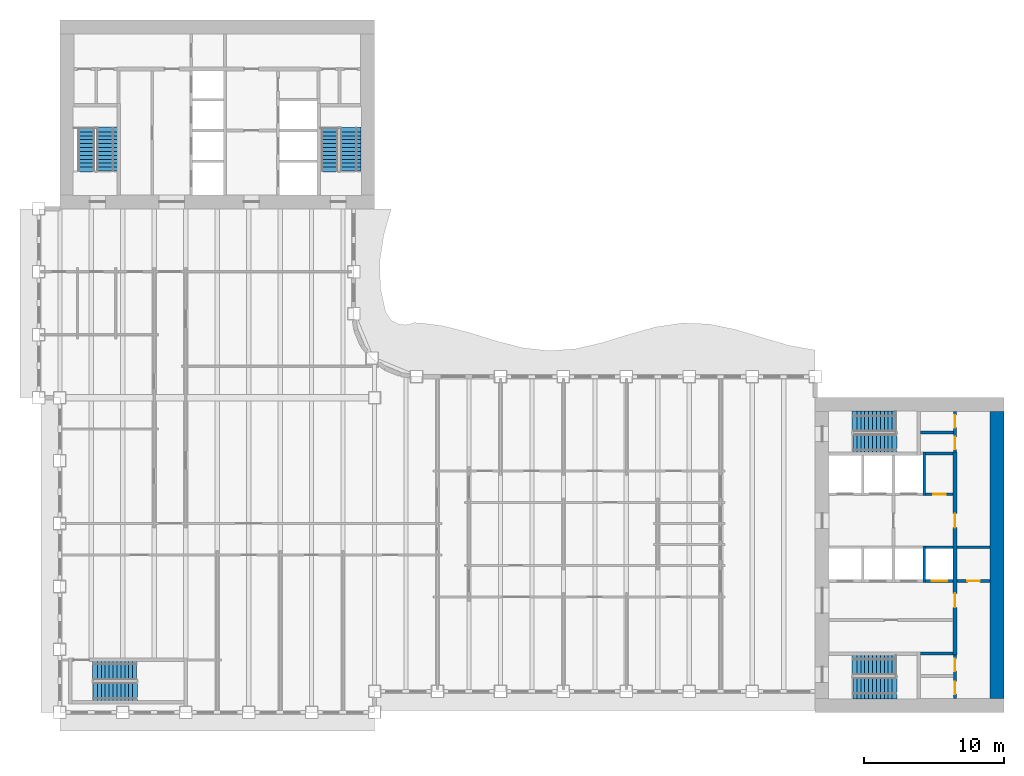
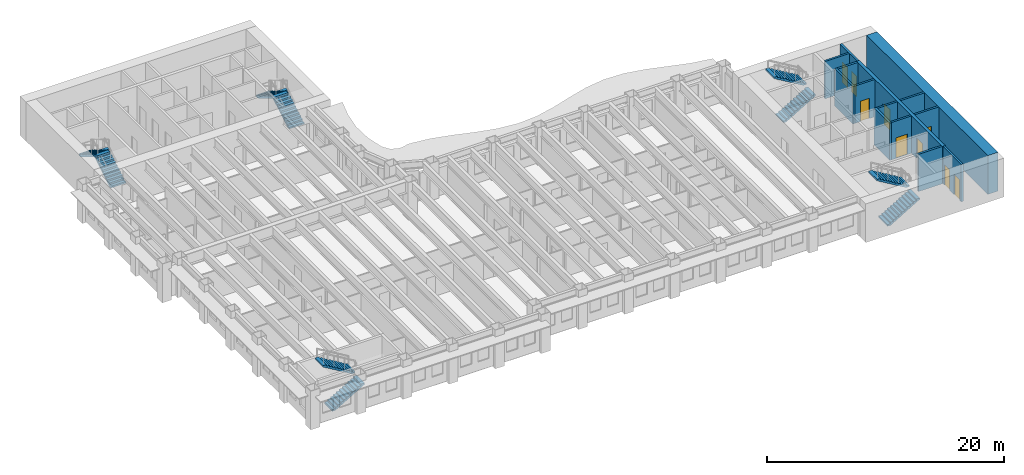
# One storey, part 10 of 16: 14 walls, 10 stair flights, 9 doors, 9 openings, 5 elements without a shape of their own.
"""IFC4 building model written with IfcOpenShell, lengths in metres."""

from ifc_helpers import new_model, si_unit, direction, frame, frame_2d, origin, place, context, subcontext, project, spatial, polyline, rectangle, outline, extrude, material, layer, layer_set, type_object, element, fill, aggregate, save


model = new_model("IFC4")

# Units and contexts
model_context = context("Model", 3, precision=1e-05, world=origin(), true_north=direction((0.0, 1.0)))
body_context = subcontext(model_context, "Body", "Model", "MODEL_VIEW")
ifc_project = project(units=[si_unit("LENGTHUNIT", "METRE"), si_unit("AREAUNIT", "SQUARE_METRE"), si_unit("VOLUMEUNIT", "CUBIC_METRE"), si_unit("PLANEANGLEUNIT", "RADIAN"), si_unit("MASSUNIT", "GRAM", prefix="KILO")], contexts=[model_context])

# Site, building, storey
site_placement = place(None, origin())
site = spatial("IfcSite", under=ifc_project, at=site_placement, CompositionType="ELEMENT")
building_placement = place(site_placement, origin())
building = spatial("IfcBuilding", under=site, at=building_placement, Name="Sennacour Bend Tower", CompositionType="ELEMENT")
storey_placement = place(building_placement, frame((0.0, 0.0, 171.0)))
storey = spatial("IfcBuildingStorey", under=building, at=storey_placement, Name="L39", CompositionType="ELEMENT", Elevation=171.0)

# Wall
ifc_material_1 = material(Name="Concrete C60/75", Category="concrete")
ifc_layer_1 = layer(ifc_material_1, 1.0, Name="Concrete C60/75", Category="concrete")
ifc_layer_set_1 = layer_set([ifc_layer_1], Name="Concrete C60/75")
wall_type_1 = type_object("IfcWallType", Name="Core wall 1000 C60/75", PredefinedType="SHEAR", material=ifc_layer_set_1)
wall_1_placement = place(storey_placement, frame((67.0, 1.0, -0.14990234375), z_axis=(0.0, 0.0, 1.0), x_axis=(0.0, 1.0, 0.0)))
element("IfcWall", 1, at=wall_1_placement, inside=storey, type_object=wall_type_1, Name="Core A wall L39 E", PredefinedType="SHEAR", context=body_context, shape_type="SweptSolid", body=[
    extrude(rectangle(XDim=20.5, YDim=1.0, at=frame_2d((10.25, 0.0))), origin(), (0.0, 0.0, 1.0), 4.0),
])

# Wall, openings, doors
ifc_material_2 = material(Name="Fire-rated plasterboard partition on steel studs", Category="steel")
ifc_layer_2 = layer(ifc_material_2, 0.199951171875, Name="Fire-rated plasterboard partition on steel studs", Category="steel")
ifc_layer_set_2 = layer_set([ifc_layer_2], Name="Fire-rated plasterboard partition on steel studs")
wall_type_2 = type_object("IfcWallType", Name="Rated partition 200", PredefinedType="PARTITIONING", material=ifc_layer_set_2)
wall_2_placement = place(storey_placement, frame((64.0, 1.0, 0.0), z_axis=(0.0, 0.0, 1.0), x_axis=(0.0, 1.0, 0.0)))
wall_2 = element("IfcWall", 2, at=wall_2_placement, inside=storey, type_object=wall_type_2, Name="P-L39-W047", PredefinedType="PARTITIONING", context=body_context, shape_type="SweptSolid", body=[
    extrude(rectangle(XDim=3.10009765625, YDim=0.199951171875, at=frame_2d((1.550048828125, 0.0))), origin(), (0.0, 0.0, 1.0), 3.85009765625),
])
opening_1_placement = place(wall_2_placement, frame((0.300048828125, 0.0, 0.0)))
opening_1 = element("IfcOpeningElement", 3, at=opening_1_placement, cuts=wall_2, Name="Opening SV", PredefinedType="OPENING", context=body_context, shape_type="SweptSolid", body=[
    extrude(rectangle(XDim=0.89990234375, YDim=2.10009765625, at=frame_2d((0.449951171875, 1.050048828125))), frame((0.0, 0.10986328125, 0.0), z_axis=(0.0, -1.0, 0.0), x_axis=(1.0, 0.0, 0.0)), (0.0, 0.0, 1.0), 0.219970703125),
])
opening_2_placement = place(wall_2_placement, frame((1.949951171875, 0.0, 0.0)))
opening_2 = element("IfcOpeningElement", 4, at=opening_2_placement, cuts=wall_2, Name="Opening WD", PredefinedType="OPENING", context=body_context, shape_type="SweptSolid", body=[
    extrude(rectangle(XDim=0.89990234375, YDim=2.10009765625, at=frame_2d((0.449951171875, 1.050048828125))), frame((0.0, 0.10986328125, 0.0), z_axis=(0.0, -1.0, 0.0), x_axis=(1.0, 0.0, 0.0)), (0.0, 0.0, 1.0), 0.219970703125),
])
ifc_material_3 = material(Name="Painted steel", Category="steel")
door_type_1 = type_object("IfcDoorType", Name="DR-SERVICE-900", OperationType="NOTDEFINED", PredefinedType="DOOR", material=ifc_material_3)
door_1_placement = place(opening_1_placement, origin())
door_1 = element("IfcDoor", 5, at=door_1_placement, inside=storey, type_object=door_type_1, Name="Door", OperationType="SINGLE_SWING_LEFT", OverallHeight=2.10009765625, OverallWidth=0.89990234375, PredefinedType="DOOR", context=body_context, shape_type="SweptSolid", body=[
    extrude(rectangle(XDim=0.89990234375, YDim=2.10009765625, at=frame_2d((0.449951171875, 1.050048828125))), frame((0.0, 0.02490234375, 0.0), z_axis=(0.0, -1.0, 0.0), x_axis=(1.0, 0.0, 0.0)), (0.0, 0.0, 1.0), 0.050048828125),
])
fill(opening_1, door_1)
ifc_material_4 = material(Name="Timber", Category="wood")
door_type_2 = type_object("IfcDoorType", Name="DR-WC-900", OperationType="NOTDEFINED", PredefinedType="DOOR", material=ifc_material_4)
door_2_placement = place(opening_2_placement, origin())
door_2 = element("IfcDoor", 6, at=door_2_placement, inside=storey, type_object=door_type_2, Name="Door", OperationType="SINGLE_SWING_RIGHT", OverallHeight=2.10009765625, OverallWidth=0.89990234375, PredefinedType="DOOR", context=body_context, shape_type="SweptSolid", body=[
    extrude(rectangle(XDim=0.89990234375, YDim=2.10009765625, at=frame_2d((0.449951171875, 1.050048828125))), frame((0.0, 0.02490234375, 0.0), z_axis=(0.0, -1.0, 0.0), x_axis=(1.0, 0.0, 0.0)), (0.0, 0.0, 1.0), 0.050048828125),
])
fill(opening_2, door_2)

wall_3_placement = place(storey_placement, frame((64.0, 18.60009765625, 0.0), z_axis=(0.0, 0.0, 1.0), x_axis=(0.0, 1.0, 0.0)))
wall_3 = element("IfcWall", 7, at=wall_3_placement, inside=storey, type_object=wall_type_2, Name="P-L39-W049", PredefinedType="PARTITIONING", context=body_context, shape_type="SweptSolid", body=[
    extrude(rectangle(XDim=2.89990234375, YDim=0.199951171875, at=frame_2d((1.449951171875, 0.0))), origin(), (0.0, 0.0, 1.0), 3.85009765625),
])
opening_3_placement = place(wall_3_placement, frame((0.199951171875, 0.0, 0.0)))
opening_3 = element("IfcOpeningElement", 8, at=opening_3_placement, cuts=wall_3, Name="Opening SV", PredefinedType="OPENING", context=body_context, shape_type="SweptSolid", body=[
    extrude(rectangle(XDim=0.89990234375, YDim=2.10009765625, at=frame_2d((0.449951171875, 1.050048828125))), frame((0.0, 0.10986328125, 0.0), z_axis=(0.0, -1.0, 0.0), x_axis=(1.0, 0.0, 0.0)), (0.0, 0.0, 1.0), 0.219970703125),
])
opening_4_placement = place(wall_3_placement, frame((1.75, 0.0, 0.0)))
opening_4 = element("IfcOpeningElement", 9, at=opening_4_placement, cuts=wall_3, Name="Opening SV", PredefinedType="OPENING", context=body_context, shape_type="SweptSolid", body=[
    extrude(rectangle(XDim=0.89990234375, YDim=2.10009765625, at=frame_2d((0.449951171875, 1.050048828125))), frame((0.0, 0.10986328125, 0.0), z_axis=(0.0, -1.0, 0.0), x_axis=(1.0, 0.0, 0.0)), (0.0, 0.0, 1.0), 0.219970703125),
])
door_3_placement = place(opening_3_placement, origin())
door_3 = element("IfcDoor", 10, at=door_3_placement, inside=storey, type_object=door_type_1, Name="Door", OperationType="SINGLE_SWING_LEFT", OverallHeight=2.10009765625, OverallWidth=0.89990234375, PredefinedType="DOOR", context=body_context, shape_type="SweptSolid", body=[
    extrude(rectangle(XDim=0.89990234375, YDim=2.10009765625, at=frame_2d((0.449951171875, 1.050048828125))), frame((0.0, 0.02490234375, 0.0), z_axis=(0.0, -1.0, 0.0), x_axis=(1.0, 0.0, 0.0)), (0.0, 0.0, 1.0), 0.050048828125),
])
fill(opening_3, door_3)
door_4_placement = place(opening_4_placement, origin())
door_4 = element("IfcDoor", 11, at=door_4_placement, inside=storey, type_object=door_type_1, Name="Door", OperationType="SINGLE_SWING_RIGHT", OverallHeight=2.10009765625, OverallWidth=0.89990234375, PredefinedType="DOOR", context=body_context, shape_type="SweptSolid", body=[
    extrude(rectangle(XDim=0.89990234375, YDim=2.10009765625, at=frame_2d((0.449951171875, 1.050048828125))), frame((0.0, 0.02490234375, 0.0), z_axis=(0.0, -1.0, 0.0), x_axis=(1.0, 0.0, 0.0)), (0.0, 0.0, 1.0), 0.050048828125),
])
fill(opening_4, door_4)

# Wall
wall_4_placement = place(storey_placement, frame((61.52490234375, 4.199951171875, 0.0), z_axis=(0.0, 0.0, 1.0), x_axis=(1.0, 0.0, 0.0)))
element("IfcWall", 12, at=wall_4_placement, inside=storey, type_object=wall_type_2, Name="P-L39-W058", PredefinedType="PARTITIONING", context=body_context, shape_type="SweptSolid", body=[
    extrude(rectangle(XDim=2.3251953125, YDim=0.199951171875, at=frame_2d((1.16259765625, 0.0))), origin(), (0.0, 0.0, 1.0), 3.85009765625),
])

# Wall, opening, door
wall_5_placement = place(storey_placement, frame((64.14990234375, 9.39990234375, 0.0), z_axis=(0.0, 0.0, 1.0), x_axis=(1.0, 0.0, 0.0)))
wall_5 = element("IfcWall", 13, at=wall_5_placement, inside=storey, type_object=wall_type_2, Name="P-L39-W062", PredefinedType="PARTITIONING", context=body_context, shape_type="SweptSolid", body=[
    extrude(rectangle(XDim=2.35009765625, YDim=0.199951171875, at=frame_2d((1.175048828125, 0.0))), origin(), (0.0, 0.0, 1.0), 3.85009765625),
])
opening_5_placement = place(wall_5_placement, frame((0.72509765625, 0.0, 0.0)))
opening_5 = element("IfcOpeningElement", 14, at=opening_5_placement, cuts=wall_5, Name="Opening SV", PredefinedType="OPENING", context=body_context, shape_type="SweptSolid", body=[
    extrude(rectangle(XDim=0.89990234375, YDim=2.10009765625, at=frame_2d((0.449951171875, 1.050048828125))), frame((0.0, 0.10986328125, 0.0), z_axis=(0.0, -1.0, 0.0), x_axis=(1.0, 0.0, 0.0)), (0.0, 0.0, 1.0), 0.219970703125),
])
door_5_placement = place(opening_5_placement, origin())
door_5 = element("IfcDoor", 15, at=door_5_placement, inside=storey, type_object=door_type_1, Name="Door", OperationType="SINGLE_SWING_LEFT", OverallHeight=2.10009765625, OverallWidth=0.89990234375, PredefinedType="DOOR", context=body_context, shape_type="SweptSolid", body=[
    extrude(rectangle(XDim=0.89990234375, YDim=2.10009765625, at=frame_2d((0.449951171875, 1.050048828125))), frame((0.0, 0.02490234375, 0.0), z_axis=(0.0, -1.0, 0.0), x_axis=(1.0, 0.0, 0.0)), (0.0, 0.0, 1.0), 0.050048828125),
])
fill(opening_5, door_5)

# Wall
wall_6_placement = place(storey_placement, frame((64.14990234375, 11.800048828125, 0.0), z_axis=(0.0, 0.0, 1.0), x_axis=(1.0, 0.0, 0.0)))
element("IfcWall", 16, at=wall_6_placement, inside=storey, type_object=wall_type_2, Name="P-L39-W066", PredefinedType="PARTITIONING", context=body_context, shape_type="SweptSolid", body=[
    extrude(rectangle(XDim=2.35009765625, YDim=0.199951171875, at=frame_2d((1.175048828125, 0.0))), origin(), (0.0, 0.0, 1.0), 3.85009765625),
])

# Wall, opening, door
wall_7_placement = place(storey_placement, frame((61.89990234375, 15.60009765625, 0.0), z_axis=(0.0, 0.0, 1.0), x_axis=(1.0, 0.0, 0.0)))
wall_7 = element("IfcWall", 17, at=wall_7_placement, inside=storey, type_object=wall_type_2, Name="P-L39-W072", PredefinedType="PARTITIONING", context=body_context, shape_type="SweptSolid", body=[
    extrude(rectangle(XDim=1.9501953125, YDim=0.199951171875, at=frame_2d((0.97509765625, 0.0))), origin(), (0.0, 0.0, 1.0), 3.85009765625),
])
opening_6_placement = place(wall_7_placement, frame((0.525146484375, 0.0, 0.0)))
opening_6 = element("IfcOpeningElement", 18, at=opening_6_placement, cuts=wall_7, Name="Opening SV", PredefinedType="OPENING", context=body_context, shape_type="SweptSolid", body=[
    extrude(rectangle(XDim=0.89990234375, YDim=2.10009765625, at=frame_2d((0.449951171875, 1.050048828125))), frame((0.0, 0.10986328125, 0.0), z_axis=(0.0, -1.0, 0.0), x_axis=(1.0, 0.0, 0.0)), (0.0, 0.0, 1.0), 0.219970703125),
])
door_6_placement = place(opening_6_placement, origin())
door_6 = element("IfcDoor", 19, at=door_6_placement, inside=storey, type_object=door_type_1, Name="Door", OperationType="SINGLE_SWING_LEFT", OverallHeight=2.10009765625, OverallWidth=0.89990234375, PredefinedType="DOOR", context=body_context, shape_type="SweptSolid", body=[
    extrude(rectangle(XDim=0.89990234375, YDim=2.10009765625, at=frame_2d((0.449951171875, 1.050048828125))), frame((0.0, 0.02490234375, 0.0), z_axis=(0.0, -1.0, 0.0), x_axis=(1.0, 0.0, 0.0)), (0.0, 0.0, 1.0), 0.050048828125),
])
fill(opening_6, door_6)

# Walls
wall_8_placement = place(storey_placement, frame((61.89990234375, 18.5, 0.0), z_axis=(0.0, 0.0, 1.0), x_axis=(1.0, 0.0, 0.0)))
element("IfcWall", 20, at=wall_8_placement, inside=storey, type_object=wall_type_2, Name="P-L39-W076", PredefinedType="PARTITIONING", context=body_context, shape_type="SweptSolid", body=[
    extrude(rectangle(XDim=1.9501953125, YDim=0.199951171875, at=frame_2d((0.97509765625, 0.0))), origin(), (0.0, 0.0, 1.0), 3.85009765625),
])
wall_9_placement = place(storey_placement, frame((61.52490234375, 20.0, 0.0), z_axis=(0.0, 0.0, 1.0), x_axis=(1.0, 0.0, 0.0)))
element("IfcWall", 21, at=wall_9_placement, inside=storey, type_object=wall_type_2, Name="P-L39-W077", PredefinedType="PARTITIONING", context=body_context, shape_type="SweptSolid", body=[
    extrude(rectangle(XDim=2.375, YDim=0.199951171875, at=frame_2d((1.1875, 0.0))), origin(), (0.0, 0.0, 1.0), 3.85009765625),
])
ifc_material_5 = material(Name="Concrete C50/60", Category="concrete")
ifc_layer_3 = layer(ifc_material_5, 0.199951171875, Name="Concrete C50/60", Category="concrete")
ifc_layer_set_3 = layer_set([ifc_layer_3], Name="Concrete C50/60")
wall_type_3 = type_object("IfcWallType", Name="Shaft wall 200", PredefinedType="SOLIDWALL", material=ifc_layer_set_3)
wall_10_placement = place(storey_placement, frame((61.800048828125, 9.300048828125, 0.0), z_axis=(0.0, 0.0, 1.0), x_axis=(0.0, 1.0, 0.0)))
element("IfcWall", 22, at=wall_10_placement, inside=storey, type_object=wall_type_3, Name="P-L39-W045", PredefinedType="SOLIDWALL", context=body_context, shape_type="SweptSolid", body=[
    extrude(rectangle(XDim=2.599853515625, YDim=0.199951171875, at=frame_2d((1.2998046875, 0.0))), origin(), (0.0, 0.0, 1.0), 3.85009765625),
])
wall_11_placement = place(storey_placement, frame((61.800048828125, 15.5, 0.0), z_axis=(0.0, 0.0, 1.0), x_axis=(0.0, 1.0, 0.0)))
element("IfcWall", 23, at=wall_11_placement, inside=storey, type_object=wall_type_3, Name="P-L39-W046", PredefinedType="SOLIDWALL", context=body_context, shape_type="SweptSolid", body=[
    extrude(rectangle(XDim=3.10009765625, YDim=0.199951171875, at=frame_2d((1.550048828125, 0.0))), origin(), (0.0, 0.0, 1.0), 3.85009765625),
])

# Wall, opening, door
wall_12_placement = place(storey_placement, frame((61.89990234375, 9.39990234375, 0.0), z_axis=(0.0, 0.0, 1.0), x_axis=(1.0, 0.0, 0.0)))
wall_12 = element("IfcWall", 24, at=wall_12_placement, inside=storey, type_object=wall_type_3, Name="P-L39-W061d", PredefinedType="SOLIDWALL", context=body_context, shape_type="SweptSolid", body=[
    extrude(rectangle(XDim=1.9501953125, YDim=0.199951171875, at=frame_2d((0.97509765625, 0.0))), origin(), (0.0, 0.0, 1.0), 3.85009765625),
])
opening_7_placement = place(wall_12_placement, frame((0.425048828125, 0.0, 0.011962890625)))
opening_7 = element("IfcOpeningElement", 25, at=opening_7_placement, cuts=wall_12, Name="Opening LD", PredefinedType="OPENING", context=body_context, shape_type="SweptSolid", body=[
    extrude(rectangle(XDim=1.10009765625, YDim=2.10009765625, at=frame_2d((0.550048828125, 1.050048828125))), frame((0.0, 0.10986328125, 0.0), z_axis=(0.0, -1.0, 0.0), x_axis=(1.0, 0.0, 0.0)), (0.0, 0.0, 1.0), 0.219970703125),
])
ifc_material_6 = material(Name="Stainless steel", Category="steel")
door_type_3 = type_object("IfcDoorType", Name="DR-LANDING-1100", OperationType="NOTDEFINED", PredefinedType="DOOR", material=ifc_material_6)
door_7_placement = place(opening_7_placement, origin())
door_7 = element("IfcDoor", 26, at=door_7_placement, inside=storey, type_object=door_type_3, Name="Lift landing door HA4", OperationType="SLIDING_TO_RIGHT", OverallHeight=2.10009765625, OverallWidth=1.10009765625, PredefinedType="DOOR", context=body_context, shape_type="SweptSolid", body=[
    extrude(rectangle(XDim=1.10009765625, YDim=2.10009765625, at=frame_2d((0.550048828125, 1.050048828125))), frame((0.0, 0.02490234375, 0.0), z_axis=(0.0, -1.0, 0.0), x_axis=(1.0, 0.0, 0.0)), (0.0, 0.0, 1.0), 0.050048828125),
])
fill(opening_7, door_7)

# Wall
wall_13_placement = place(storey_placement, frame((61.89990234375, 11.800048828125, 0.0), z_axis=(0.0, 0.0, 1.0), x_axis=(1.0, 0.0, 0.0)))
element("IfcWall", 27, at=wall_13_placement, inside=storey, type_object=wall_type_3, Name="P-L39-W065d", PredefinedType="SOLIDWALL", context=body_context, shape_type="SweptSolid", body=[
    extrude(rectangle(XDim=1.9501953125, YDim=0.199951171875, at=frame_2d((0.97509765625, 0.0))), origin(), (0.0, 0.0, 1.0), 3.85009765625),
])

# Wall, openings, doors
ifc_layer_4 = layer(ifc_material_1, 0.300048828125, Name="Concrete C60/75", Category="concrete")
ifc_layer_set_4 = layer_set([ifc_layer_4], Name="Concrete C60/75")
wall_type_4 = type_object("IfcWallType", Name="Spine wall 300", PredefinedType="SHEAR", material=ifc_layer_set_4)
wall_14_placement = place(storey_placement, frame((64.0, 4.10009765625, 0.0), z_axis=(0.0, 0.0, 1.0), x_axis=(0.0, 1.0, 0.0)))
wall_14 = element("IfcWall", 28, at=wall_14_placement, inside=storey, type_object=wall_type_4, Name="P-L39-W048", PredefinedType="SHEAR", context=body_context, shape_type="SweptSolid", body=[
    extrude(rectangle(XDim=14.5, YDim=0.300048828125, at=frame_2d((7.25, 0.0))), origin(), (0.0, 0.0, 1.0), 3.85009765625),
])
opening_8_placement = place(wall_14_placement, frame((3.39990234375, 0.0, 0.0)))
opening_8 = element("IfcOpeningElement", 29, at=opening_8_placement, cuts=wall_14, Name="Opening CD2", PredefinedType="OPENING", context=body_context, shape_type="SweptSolid", body=[
    extrude(rectangle(XDim=1.0, YDim=2.10009765625, at=frame_2d((0.5, 1.050048828125))), frame((0.0, 0.16015625, 0.0), z_axis=(0.0, -1.0, 0.0), x_axis=(1.0, 0.0, 0.0)), (0.0, 0.0, 1.0), 0.320068359375),
])
opening_9_placement = place(wall_14_placement, frame((9.099853515625, 0.0, 0.0)))
opening_9 = element("IfcOpeningElement", 30, at=opening_9_placement, cuts=wall_14, Name="Opening CD2", PredefinedType="OPENING", context=body_context, shape_type="SweptSolid", body=[
    extrude(rectangle(XDim=1.0, YDim=2.10009765625, at=frame_2d((0.5, 1.050048828125))), frame((0.0, 0.16015625, 0.0), z_axis=(0.0, -1.0, 0.0), x_axis=(1.0, 0.0, 0.0)), (0.0, 0.0, 1.0), 0.320068359375),
])
door_type_4 = type_object("IfcDoorType", Name="DR-LOBBY-1000", OperationType="NOTDEFINED", PredefinedType="DOOR", material=ifc_material_3)
door_8_placement = place(opening_8_placement, origin())
door_8 = element("IfcDoor", 31, at=door_8_placement, inside=storey, type_object=door_type_4, Name="Door", OperationType="SINGLE_SWING_LEFT", OverallHeight=2.10009765625, OverallWidth=1.0, PredefinedType="DOOR", context=body_context, shape_type="SweptSolid", body=[
    extrude(rectangle(XDim=1.0, YDim=2.10009765625, at=frame_2d((0.5, 1.050048828125))), frame((0.0, 0.02490234375, 0.0), z_axis=(0.0, -1.0, 0.0), x_axis=(1.0, 0.0, 0.0)), (0.0, 0.0, 1.0), 0.050048828125),
])
fill(opening_8, door_8)
door_9_placement = place(opening_9_placement, origin())
door_9 = element("IfcDoor", 32, at=door_9_placement, inside=storey, type_object=door_type_4, Name="Door", OperationType="SINGLE_SWING_RIGHT", OverallHeight=2.10009765625, OverallWidth=1.0, PredefinedType="DOOR", context=body_context, shape_type="SweptSolid", body=[
    extrude(rectangle(XDim=1.0, YDim=2.10009765625, at=frame_2d((0.5, 1.050048828125))), frame((0.0, 0.02490234375, 0.0), z_axis=(0.0, -1.0, 0.0), x_axis=(1.0, 0.0, 0.0)), (0.0, 0.0, 1.0), 0.050048828125),
])
fill(opening_9, door_9)

# Stair, stair flights
ifc_material_7 = material(Name="Concrete C40/50", Category="concrete")
stair_type = type_object("IfcStairType", Name="ST-DOGLEG", PredefinedType="HALF_TURN_STAIR", material=ifc_material_7)
stair_1_placement = place(storey_placement, origin())
stair_1 = element("IfcStair", 33, at=stair_1_placement, inside=storey, type_object=stair_type, Name="L39 Exit stair A1", PredefinedType="HALF_TURN_STAIR")
stair_flight_type = type_object("IfcStairFlightType", Name="SFL-RC", PredefinedType="STRAIGHT", material=ifc_material_7)
stair_flight_1_placement = place(storey_placement, frame((56.699951171875, 1.735107421875, 0.0), z_axis=(0.0, 0.0, 1.0), x_axis=(1.0, 0.0, 0.0)))
stair_flight_1 = element("IfcStairFlight", 34, at=stair_flight_1_placement, type_object=stair_flight_type, Name="SA1 flight 1", NumberOfRisers=12, NumberOfTreads=11, PredefinedType="STRAIGHT", RiserHeight=0.166666667, TreadLength=0.28, context=body_context, shape_type="SweptSolid", body=[
    extrude(outline(polyline([(0.0, 0.0), (0.0, 0.166748046875), (0.280029296875, 0.166748046875), (0.280029296875, 0.333251953125), (0.56005859375, 0.333251953125), (0.56005859375, 0.5), (0.840087890625, 0.5), (0.840087890625, 0.666748046875), (1.1201171875, 0.666748046875), (1.1201171875, 0.833251953125), (1.39990234375, 0.833251953125), (1.39990234375, 1.0), (1.679931640625, 1.0), (1.679931640625, 1.166748046875), (1.9599609375, 1.166748046875), (1.9599609375, 1.333251953125), (2.239990234375, 1.333251953125), (2.239990234375, 1.5), (2.52001953125, 1.5), (2.52001953125, 1.666748046875), (2.800048828125, 1.666748046875), (2.800048828125, 1.833251953125), (3.080078125, 1.833251953125), (3.139892578125, 1.833251953125), (3.139892578125, 1.658935546875), (3.080078125, 1.658935546875), (0.29296875, 0.0), (0.0, 0.0)])), frame((0.0, 0.76513671875, 0.0), z_axis=(0.0, -1.0, 0.0), x_axis=(1.0, 0.0, 0.0)), (0.0, 0.0, 1.0), 1.530029296875),
])
stair_flight_2_placement = place(storey_placement, frame((59.780029296875, 3.37744140625, 2.0), z_axis=(0.0, 0.0, 1.0), x_axis=(-1.0, 0.0, 0.0)))
stair_flight_2 = element("IfcStairFlight", 35, at=stair_flight_2_placement, type_object=stair_flight_type, Name="SA1 flight 2", NumberOfRisers=12, NumberOfTreads=11, PredefinedType="STRAIGHT", RiserHeight=0.166666667, TreadLength=0.28, context=body_context, shape_type="SweptSolid", body=[
    extrude(outline(polyline([(0.0, 0.0), (0.0, 0.166748046875), (0.280029296875, 0.166748046875), (0.280029296875, 0.333251953125), (0.56005859375, 0.333251953125), (0.56005859375, 0.5), (0.840087890625, 0.5), (0.840087890625, 0.666748046875), (1.1201171875, 0.666748046875), (1.1201171875, 0.833251953125), (1.39990234375, 0.833251953125), (1.39990234375, 1.0), (1.679931640625, 1.0), (1.679931640625, 1.166748046875), (1.9599609375, 1.166748046875), (1.9599609375, 1.333251953125), (2.239990234375, 1.333251953125), (2.239990234375, 1.5), (2.52001953125, 1.5), (2.52001953125, 1.666748046875), (2.800048828125, 1.666748046875), (2.800048828125, 1.833251953125), (3.080078125, 1.833251953125), (3.139892578125, 1.833251953125), (3.139892578125, 1.658935546875), (3.080078125, 1.658935546875), (0.29296875, 0.0), (0.0, 0.0)])), frame((0.0, 0.7275390625, 0.0), z_axis=(0.0, -1.0, 0.0), x_axis=(1.0, 0.0, 0.0)), (0.0, 0.0, 1.0), 1.455078125),
])
aggregate(stair_1, [stair_flight_1, stair_flight_2])

stair_2_placement = place(storey_placement, origin())
stair_2 = element("IfcStair", 36, at=stair_2_placement, inside=storey, type_object=stair_type, Name="L39 Exit stair A2", PredefinedType="HALF_TURN_STAIR")
stair_flight_3_placement = place(storey_placement, frame((56.699951171875, 19.24755859375, 0.0), z_axis=(0.0, 0.0, 1.0), x_axis=(1.0, 0.0, 0.0)))
stair_flight_3 = element("IfcStairFlight", 37, at=stair_flight_3_placement, type_object=stair_flight_type, Name="SA2 flight 1", NumberOfRisers=12, NumberOfTreads=11, PredefinedType="STRAIGHT", RiserHeight=0.166666667, TreadLength=0.28, context=body_context, shape_type="SweptSolid", body=[
    extrude(outline(polyline([(0.0, 0.0), (0.0, 0.166748046875), (0.280029296875, 0.166748046875), (0.280029296875, 0.333251953125), (0.56005859375, 0.333251953125), (0.56005859375, 0.5), (0.840087890625, 0.5), (0.840087890625, 0.666748046875), (1.1201171875, 0.666748046875), (1.1201171875, 0.833251953125), (1.39990234375, 0.833251953125), (1.39990234375, 1.0), (1.679931640625, 1.0), (1.679931640625, 1.166748046875), (1.9599609375, 1.166748046875), (1.9599609375, 1.333251953125), (2.239990234375, 1.333251953125), (2.239990234375, 1.5), (2.52001953125, 1.5), (2.52001953125, 1.666748046875), (2.800048828125, 1.666748046875), (2.800048828125, 1.833251953125), (3.080078125, 1.833251953125), (3.139892578125, 1.833251953125), (3.139892578125, 1.658935546875), (3.080078125, 1.658935546875), (0.29296875, 0.0), (0.0, 0.0)])), frame((0.0, 0.65234375, 0.0), z_axis=(0.0, -1.0, 0.0), x_axis=(1.0, 0.0, 0.0)), (0.0, 0.0, 1.0), 1.304931640625),
])
stair_flight_4_placement = place(storey_placement, frame((59.780029296875, 20.7900390625, 2.0), z_axis=(0.0, 0.0, 1.0), x_axis=(-1.0, 0.0, 0.0)))
stair_flight_4 = element("IfcStairFlight", 38, at=stair_flight_4_placement, type_object=stair_flight_type, Name="SA2 flight 2", NumberOfRisers=12, NumberOfTreads=11, PredefinedType="STRAIGHT", RiserHeight=0.166666667, TreadLength=0.28, context=body_context, shape_type="SweptSolid", body=[
    extrude(outline(polyline([(0.0, 0.0), (0.0, 0.166748046875), (0.280029296875, 0.166748046875), (0.280029296875, 0.333251953125), (0.56005859375, 0.333251953125), (0.56005859375, 0.5), (0.840087890625, 0.5), (0.840087890625, 0.666748046875), (1.1201171875, 0.666748046875), (1.1201171875, 0.833251953125), (1.39990234375, 0.833251953125), (1.39990234375, 1.0), (1.679931640625, 1.0), (1.679931640625, 1.166748046875), (1.9599609375, 1.166748046875), (1.9599609375, 1.333251953125), (2.239990234375, 1.333251953125), (2.239990234375, 1.5), (2.52001953125, 1.5), (2.52001953125, 1.666748046875), (2.800048828125, 1.666748046875), (2.800048828125, 1.833251953125), (3.080078125, 1.833251953125), (3.139892578125, 1.833251953125), (3.139892578125, 1.658935546875), (3.080078125, 1.658935546875), (0.29296875, 0.0), (0.0, 0.0)])), frame((0.0, 0.739990234375, 0.0), z_axis=(0.0, -1.0, 0.0), x_axis=(1.0, 0.0, 0.0)), (0.0, 0.0, 1.0), 1.47998046875),
])
aggregate(stair_2, [stair_flight_3, stair_flight_4])

stair_3_placement = place(storey_placement, origin())
stair_3 = element("IfcStair", 39, at=stair_3_placement, inside=storey, type_object=stair_type, Name="L39 Exit stair B1", PredefinedType="HALF_TURN_STAIR")
stair_flight_5_placement = place(storey_placement, frame((3.37744140625, 38.699951171875, 0.0), z_axis=(0.0, 0.0, 1.0), x_axis=(0.0, 1.0, 0.0)))
stair_flight_5 = element("IfcStairFlight", 40, at=stair_flight_5_placement, type_object=stair_flight_type, Name="SB1 flight 1", NumberOfRisers=12, NumberOfTreads=11, PredefinedType="STRAIGHT", RiserHeight=0.166666667, TreadLength=0.28, context=body_context, shape_type="SweptSolid", body=[
    extrude(outline(polyline([(0.0, 0.0), (0.0, 0.166748046875), (0.280029296875, 0.166748046875), (0.280029296875, 0.333251953125), (0.56005859375, 0.333251953125), (0.56005859375, 0.5), (0.840087890625, 0.5), (0.840087890625, 0.666748046875), (1.1201171875, 0.666748046875), (1.1201171875, 0.833251953125), (1.39990234375, 0.833251953125), (1.39990234375, 1.0), (1.679931640625, 1.0), (1.679931640625, 1.166748046875), (1.9599609375, 1.166748046875), (1.9599609375, 1.333251953125), (2.239990234375, 1.333251953125), (2.239990234375, 1.5), (2.52001953125, 1.5), (2.52001953125, 1.666748046875), (2.800048828125, 1.666748046875), (2.800048828125, 1.833251953125), (3.080078125, 1.833251953125), (3.139892578125, 1.833251953125), (3.139892578125, 1.658935546875), (3.080078125, 1.658935546875), (0.29296875, 0.0), (0.0, 0.0)])), frame((0.0, 0.7275390625, 0.0), z_axis=(0.0, -1.0, 0.0), x_axis=(1.0, 0.0, 0.0)), (0.0, 0.0, 1.0), 1.455078125),
])
stair_flight_6_placement = place(storey_placement, frame((1.89990234375, 41.780029296875, 2.0), z_axis=(0.0, 0.0, 1.0), x_axis=(0.0, -1.0, 0.0)))
stair_flight_6 = element("IfcStairFlight", 41, at=stair_flight_6_placement, type_object=stair_flight_type, Name="SB1 flight 2", NumberOfRisers=12, NumberOfTreads=11, PredefinedType="STRAIGHT", RiserHeight=0.166666667, TreadLength=0.28, context=body_context, shape_type="SweptSolid", body=[
    extrude(outline(polyline([(0.0, 0.0), (0.0, 0.166748046875), (0.280029296875, 0.166748046875), (0.280029296875, 0.333251953125), (0.56005859375, 0.333251953125), (0.56005859375, 0.5), (0.840087890625, 0.5), (0.840087890625, 0.666748046875), (1.1201171875, 0.666748046875), (1.1201171875, 0.833251953125), (1.39990234375, 0.833251953125), (1.39990234375, 1.0), (1.679931640625, 1.0), (1.679931640625, 1.166748046875), (1.9599609375, 1.166748046875), (1.9599609375, 1.333251953125), (2.239990234375, 1.333251953125), (2.239990234375, 1.5), (2.52001953125, 1.5), (2.52001953125, 1.666748046875), (2.800048828125, 1.666748046875), (2.800048828125, 1.833251953125), (3.080078125, 1.833251953125), (3.139892578125, 1.833251953125), (3.139892578125, 1.658935546875), (3.080078125, 1.658935546875), (0.29296875, 0.0), (0.0, 0.0)])), frame((0.0, 0.60009765625, 0.0), z_axis=(0.0, -1.0, 0.0), x_axis=(1.0, 0.0, 0.0)), (0.0, 0.0, 1.0), 1.199951171875),
])
aggregate(stair_3, [stair_flight_5, stair_flight_6])

stair_4_placement = place(storey_placement, origin())
stair_4 = element("IfcStair", 42, at=stair_4_placement, inside=storey, type_object=stair_type, Name="L39 Exit stair B2", PredefinedType="HALF_TURN_STAIR")
stair_flight_7_placement = place(storey_placement, frame((20.7900390625, 38.699951171875, 0.0), z_axis=(0.0, 0.0, 1.0), x_axis=(0.0, 1.0, 0.0)))
stair_flight_7 = element("IfcStairFlight", 43, at=stair_flight_7_placement, type_object=stair_flight_type, Name="SB2 flight 1", NumberOfRisers=12, NumberOfTreads=11, PredefinedType="STRAIGHT", RiserHeight=0.166666667, TreadLength=0.28, context=body_context, shape_type="SweptSolid", body=[
    extrude(outline(polyline([(0.0, 0.0), (0.0, 0.166748046875), (0.280029296875, 0.166748046875), (0.280029296875, 0.333251953125), (0.56005859375, 0.333251953125), (0.56005859375, 0.5), (0.840087890625, 0.5), (0.840087890625, 0.666748046875), (1.1201171875, 0.666748046875), (1.1201171875, 0.833251953125), (1.39990234375, 0.833251953125), (1.39990234375, 1.0), (1.679931640625, 1.0), (1.679931640625, 1.166748046875), (1.9599609375, 1.166748046875), (1.9599609375, 1.333251953125), (2.239990234375, 1.333251953125), (2.239990234375, 1.5), (2.52001953125, 1.5), (2.52001953125, 1.666748046875), (2.800048828125, 1.666748046875), (2.800048828125, 1.833251953125), (3.080078125, 1.833251953125), (3.139892578125, 1.833251953125), (3.139892578125, 1.658935546875), (3.080078125, 1.658935546875), (0.29296875, 0.0), (0.0, 0.0)])), frame((0.0, 0.739990234375, 0.0), z_axis=(0.0, -1.0, 0.0), x_axis=(1.0, 0.0, 0.0)), (0.0, 0.0, 1.0), 1.47998046875),
])
stair_flight_8_placement = place(storey_placement, frame((19.24755859375, 41.780029296875, 2.0), z_axis=(0.0, 0.0, 1.0), x_axis=(0.0, -1.0, 0.0)))
stair_flight_8 = element("IfcStairFlight", 44, at=stair_flight_8_placement, type_object=stair_flight_type, Name="SB2 flight 2", NumberOfRisers=12, NumberOfTreads=11, PredefinedType="STRAIGHT", RiserHeight=0.166666667, TreadLength=0.28, context=body_context, shape_type="SweptSolid", body=[
    extrude(outline(polyline([(0.0, 0.0), (0.0, 0.166748046875), (0.280029296875, 0.166748046875), (0.280029296875, 0.333251953125), (0.56005859375, 0.333251953125), (0.56005859375, 0.5), (0.840087890625, 0.5), (0.840087890625, 0.666748046875), (1.1201171875, 0.666748046875), (1.1201171875, 0.833251953125), (1.39990234375, 0.833251953125), (1.39990234375, 1.0), (1.679931640625, 1.0), (1.679931640625, 1.166748046875), (1.9599609375, 1.166748046875), (1.9599609375, 1.333251953125), (2.239990234375, 1.333251953125), (2.239990234375, 1.5), (2.52001953125, 1.5), (2.52001953125, 1.666748046875), (2.800048828125, 1.666748046875), (2.800048828125, 1.833251953125), (3.080078125, 1.833251953125), (3.139892578125, 1.833251953125), (3.139892578125, 1.658935546875), (3.080078125, 1.658935546875), (0.29296875, 0.0), (0.0, 0.0)])), frame((0.0, 0.65234375, 0.0), z_axis=(0.0, -1.0, 0.0), x_axis=(1.0, 0.0, 0.0)), (0.0, 0.0, 1.0), 1.304931640625),
])
aggregate(stair_4, [stair_flight_7, stair_flight_8])

stair_5_placement = place(storey_placement, origin())
stair_5 = element("IfcStair", 45, at=stair_5_placement, inside=storey, type_object=stair_type, Name="L39 Exit stair K1", PredefinedType="HALF_TURN_STAIR")
stair_flight_9_placement = place(storey_placement, frame((2.39990234375, 1.485107421875, 0.0), z_axis=(0.0, 0.0, 1.0), x_axis=(1.0, 0.0, 0.0)))
stair_flight_9 = element("IfcStairFlight", 46, at=stair_flight_9_placement, type_object=stair_flight_type, Name="SK1 flight 1", NumberOfRisers=12, NumberOfTreads=11, PredefinedType="STRAIGHT", RiserHeight=0.166666667, TreadLength=0.28, context=body_context, shape_type="SweptSolid", body=[
    extrude(outline(polyline([(0.0, 0.0), (0.0, 0.166748046875), (0.280029296875, 0.166748046875), (0.280029296875, 0.333251953125), (0.56005859375, 0.333251953125), (0.56005859375, 0.5), (0.840087890625, 0.5), (0.840087890625, 0.666748046875), (1.1201171875, 0.666748046875), (1.1201171875, 0.833251953125), (1.39990234375, 0.833251953125), (1.39990234375, 1.0), (1.679931640625, 1.0), (1.679931640625, 1.166748046875), (1.9599609375, 1.166748046875), (1.9599609375, 1.333251953125), (2.239990234375, 1.333251953125), (2.239990234375, 1.5), (2.52001953125, 1.5), (2.52001953125, 1.666748046875), (2.800048828125, 1.666748046875), (2.800048828125, 1.833251953125), (3.080078125, 1.833251953125), (3.139892578125, 1.833251953125), (3.139892578125, 1.658935546875), (3.080078125, 1.658935546875), (0.29296875, 0.0), (0.0, 0.0)])), frame((0.0, 0.6650390625, 0.0), z_axis=(0.0, -1.0, 0.0), x_axis=(1.0, 0.0, 0.0)), (0.0, 0.0, 1.0), 1.330078125),
])
stair_flight_10_placement = place(storey_placement, frame((5.47998046875, 2.9775390625, 2.0), z_axis=(0.0, 0.0, 1.0), x_axis=(-1.0, 0.0, 0.0)))
stair_flight_10 = element("IfcStairFlight", 47, at=stair_flight_10_placement, type_object=stair_flight_type, Name="SK1 flight 2", NumberOfRisers=12, NumberOfTreads=11, PredefinedType="STRAIGHT", RiserHeight=0.166666667, TreadLength=0.28, context=body_context, shape_type="SweptSolid", body=[
    extrude(outline(polyline([(0.0, 0.0), (0.0, 0.166748046875), (0.280029296875, 0.166748046875), (0.280029296875, 0.333251953125), (0.56005859375, 0.333251953125), (0.56005859375, 0.5), (0.840087890625, 0.5), (0.840087890625, 0.666748046875), (1.1201171875, 0.666748046875), (1.1201171875, 0.833251953125), (1.39990234375, 0.833251953125), (1.39990234375, 1.0), (1.679931640625, 1.0), (1.679931640625, 1.166748046875), (1.9599609375, 1.166748046875), (1.9599609375, 1.333251953125), (2.239990234375, 1.333251953125), (2.239990234375, 1.5), (2.52001953125, 1.5), (2.52001953125, 1.666748046875), (2.800048828125, 1.666748046875), (2.800048828125, 1.833251953125), (3.080078125, 1.833251953125), (3.139892578125, 1.833251953125), (3.139892578125, 1.658935546875), (3.080078125, 1.658935546875), (0.29296875, 0.0), (0.0, 0.0)])), frame((0.0, 0.677490234375, 0.0), z_axis=(0.0, -1.0, 0.0), x_axis=(1.0, 0.0, 0.0)), (0.0, 0.0, 1.0), 1.35498046875),
])
aggregate(stair_5, [stair_flight_9, stair_flight_10])

save(model, "model.ifc")
